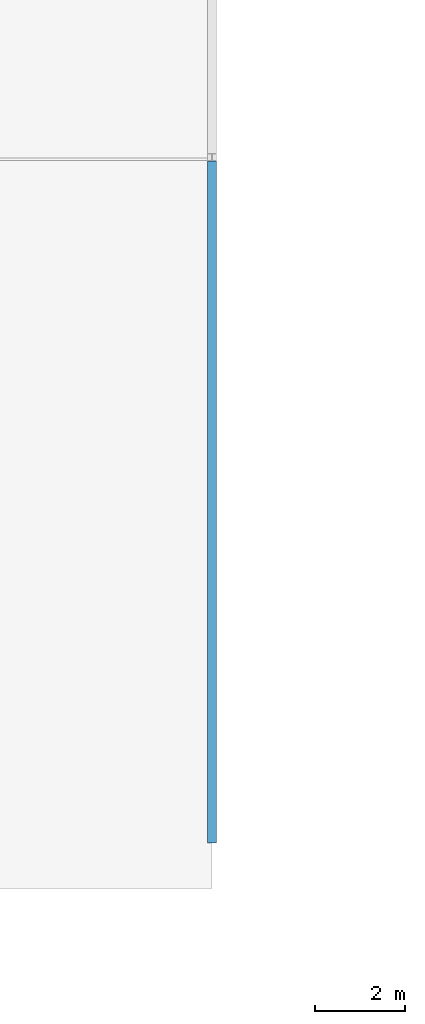
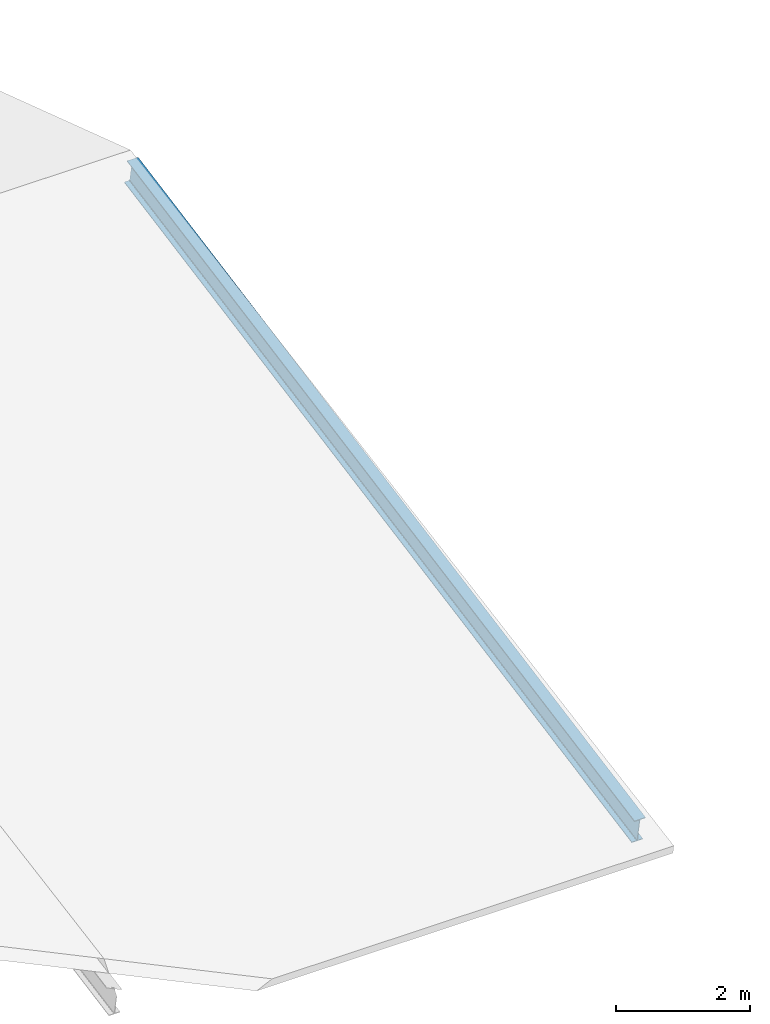
# One storey, part 76 of 166: 1 beam.
"""IFC4 building model written with IfcOpenShell, lengths in metres."""

from ifc_helpers import new_model, si_unit, direction, frame, origin, origin_2d, place, context, subcontext, project, spatial, i_section, extrude, material, material_profile, profile_set, type_object, element, save


model = new_model("IFC4")

# Units and contexts
model_context = context("Model", 3, precision=1e-05, world=origin(), true_north=direction((0.0, 1.0)))
body_context = subcontext(model_context, "Body", "Model", "MODEL_VIEW")
ifc_project = project(units=[si_unit("LENGTHUNIT", "METRE"), si_unit("AREAUNIT", "SQUARE_METRE"), si_unit("VOLUMEUNIT", "CUBIC_METRE"), si_unit("PLANEANGLEUNIT", "RADIAN"), si_unit("MASSUNIT", "GRAM", prefix="KILO")], contexts=[model_context])

# Site, building, storey
site_placement = place(None, origin())
site = spatial("IfcSite", under=ifc_project, at=site_placement, CompositionType="ELEMENT")
building_placement = place(site_placement, origin())
building = spatial("IfcBuilding", under=site, at=building_placement, Name="Caisbarro Railhouse Central Library", CompositionType="ELEMENT")
storey_placement = place(building_placement, frame((0.0, 0.0, 9.360107421875)))
storey = spatial("IfcBuildingStorey", under=building, at=storey_placement, Name="L02", CompositionType="ELEMENT", Elevation=9.360107421875)

# Beam
ifc_material = material(Name="Steel ASTM A572 Grade 50", Category="steel")
ifc_material_profile = material_profile(ifc_material, i_section(OverallWidth=0.18994140625, OverallDepth=0.45703125, WebThickness=0.009033203125, FlangeThickness=0.014404296875, FilletRadius=0.01806640625, at=origin_2d()), Name="W460X74.0")
ifc_profile_set = profile_set([ifc_material_profile], Name="Steel ASTM A572 Grade 50")
beam_type = type_object("IfcBeamType", Name="BM-G08", PredefinedType="BEAM", material=ifc_profile_set)
beam_placement = place(storey_placement, frame((36.0, 83.64990234375, -0.35009765625), z_axis=(0.0, 0.982834643384, 0.184488654841), x_axis=(-1.0, 0.0, 0.0)))
element("IfcBeam", 1, at=beam_placement, inside=storey, type_object=beam_type, Name="V2 Folded Roof South Rafter X=36", PredefinedType="BEAM", context=body_context, shape_type="SweptSolid", body=[
    extrude(i_section(OverallWidth=0.18994140625, OverallDepth=0.45703125, WebThickness=0.009033203125, FlangeThickness=0.014404296875, FilletRadius=0.01806640625, at=origin_2d()), origin(), (0.0, 0.0, 1.0), 15.394287109375),
])

save(model, "model.ifc")
